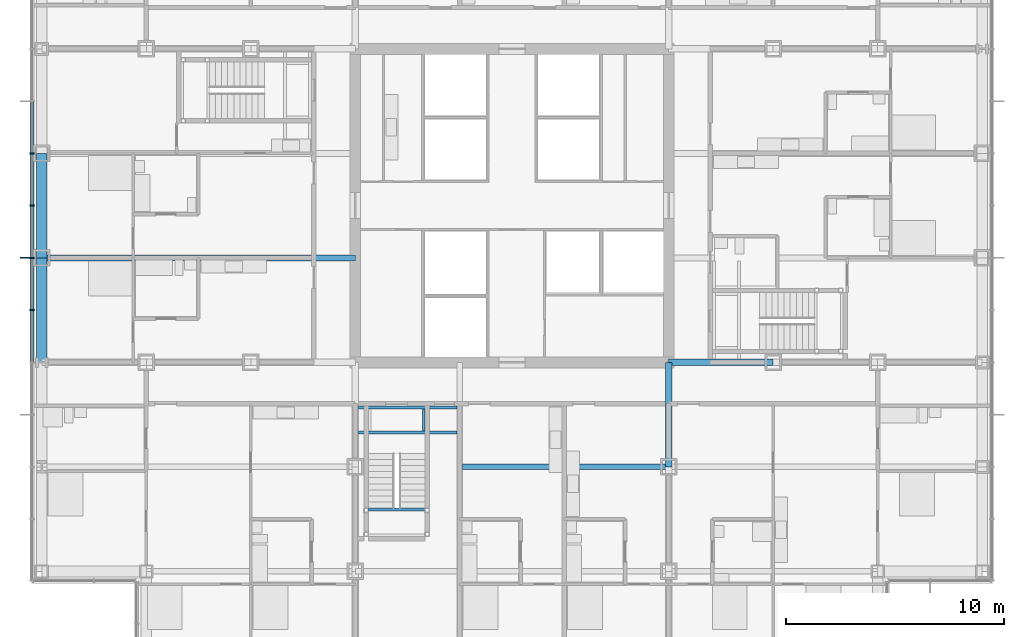
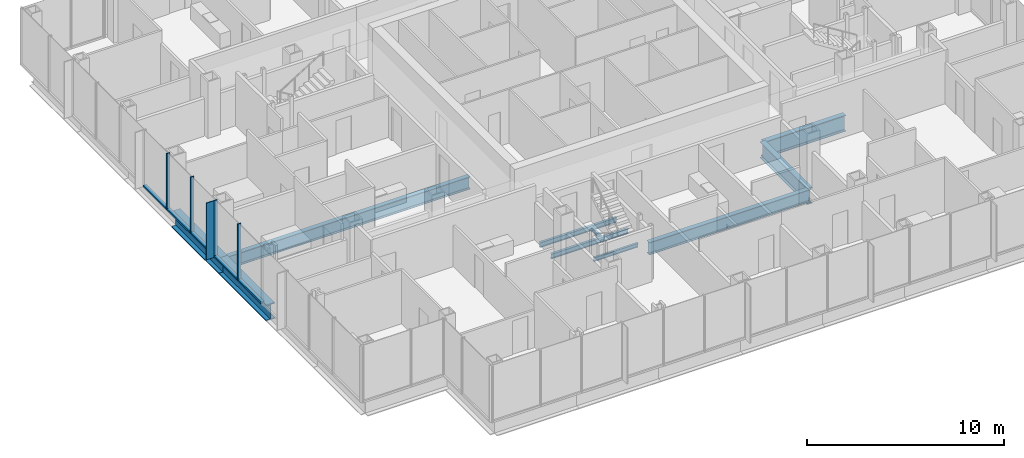
# One storey, part 7 of 21: 10 beams, 10 members, 1 element without a shape of its own.
"""IFC4 building model written with IfcOpenShell, lengths in metres."""

from ifc_helpers import new_model, si_unit, direction, frame, origin, origin_2d, place, context, subcontext, project, spatial, rectangle, i_section, extrude, material, material_profile, profile_set, type_object, element, aggregate, save


model = new_model("IFC4")

# Units and contexts
model_context = context("Model", 3, precision=1e-05, world=origin(), true_north=direction((0.0, 1.0)))
body_context = subcontext(model_context, "Body", "Model", "MODEL_VIEW")
ifc_project = project(units=[si_unit("LENGTHUNIT", "METRE"), si_unit("AREAUNIT", "SQUARE_METRE"), si_unit("VOLUMEUNIT", "CUBIC_METRE"), si_unit("PLANEANGLEUNIT", "RADIAN"), si_unit("MASSUNIT", "GRAM", prefix="KILO")], contexts=[model_context])

# Site, building, storey
site_placement = place(None, origin())
site = spatial("IfcSite", under=ifc_project, at=site_placement, CompositionType="ELEMENT")
building_placement = place(site_placement, origin())
building = spatial("IfcBuilding", under=site, at=building_placement, Name="Kvirike Care Tower", CompositionType="ELEMENT")
storey_placement = place(building_placement, frame((0.0, 0.0, 51.5)))
storey = spatial("IfcBuildingStorey", under=building, at=storey_placement, Name="L13", CompositionType="ELEMENT", Elevation=51.5)

# Curtain wall, members
ifc_material_1 = material(Name="Anodised aluminium stick system", Category="aluminium")
curtain_wall_type = type_object("IfcCurtainWallType", Name="CW-A STICK CURTAIN WALL", PredefinedType="NOTDEFINED", material=ifc_material_1)
curtain_wall_placement = place(storey_placement, origin())
curtain_wall = element("IfcCurtainWall", 1, at=curtain_wall_placement, inside=storey, type_object=curtain_wall_type, Name="Curtain wall L13 face 1", PredefinedType="NOTDEFINED")
ifc_material_2 = material(Name="Bronze anodised aluminium fin", Category="aluminium")
ifc_material_profile_1 = material_profile(ifc_material_2, rectangle(XDim=0.050048828125, YDim=0.449951171875, at=origin_2d()), Name="BRONZE FIN 450")
ifc_profile_set_1 = profile_set([ifc_material_profile_1], Name="Bronze anodised aluminium fin")
member_type_1 = type_object("IfcMemberType", Name="BRONZE FIN 450", PredefinedType="USERDEFINED", material=ifc_profile_set_1)
member_1_placement = place(storey_placement, frame((-0.77490234375, 33.60009765625, 0.0), z_axis=(0.0, 0.0, 1.0), x_axis=(0.0, -1.0, 0.0)))
member_1 = element("IfcMember", 2, at=member_1_placement, type_object=member_type_1, Name="Bronze fin L13 face 1.9", ObjectType="FIN", PredefinedType="USERDEFINED", context=body_context, shape_type="SweptSolid", body=[
    extrude(rectangle(XDim=0.050048828125, YDim=0.449951171875, at=origin_2d()), origin(), (0.0, 0.0, 1.0), 3.5),
])
ifc_material_3 = material(Name="Bronze anodised aluminium mullion", Category="aluminium")
ifc_material_profile_2 = material_profile(ifc_material_3, rectangle(XDim=0.06494140625, YDim=0.199951171875, at=origin_2d()), Name="CW-A MULLION 65x200")
ifc_profile_set_2 = profile_set([ifc_material_profile_2], Name="Bronze anodised aluminium mullion")
member_type_2 = type_object("IfcMemberType", Name="CW-A MULLION 65x200", PredefinedType="MULLION", material=ifc_profile_set_2)
member_2_placement = place(storey_placement, frame((-0.449951171875, 38.39990234375, 0.0), z_axis=(0.0, 0.0, 1.0), x_axis=(0.0, -1.0, 0.0)))
member_2 = element("IfcMember", 3, at=member_2_placement, type_object=member_type_2, Name="CW-A mullion L13 face 1.7", PredefinedType="MULLION", context=body_context, shape_type="SweptSolid", body=[
    extrude(rectangle(XDim=0.06494140625, YDim=0.199951171875, at=origin_2d()), origin(), (0.0, 0.0, 1.0), 3.5),
])
member_3_placement = place(storey_placement, frame((-0.449951171875, 36.0, 0.0), z_axis=(0.0, 0.0, 1.0), x_axis=(0.0, -1.0, 0.0)))
member_3 = element("IfcMember", 4, at=member_3_placement, type_object=member_type_2, Name="CW-A mullion L13 face 1.8", PredefinedType="MULLION", context=body_context, shape_type="SweptSolid", body=[
    extrude(rectangle(XDim=0.06494140625, YDim=0.199951171875, at=origin_2d()), origin(), (0.0, 0.0, 1.0), 3.5),
])
member_4_placement = place(storey_placement, frame((-0.449951171875, 33.60009765625, 0.0), z_axis=(0.0, 0.0, 1.0), x_axis=(0.0, -1.0, 0.0)))
member_4 = element("IfcMember", 5, at=member_4_placement, type_object=member_type_2, Name="CW-A mullion L13 face 1.9", PredefinedType="MULLION", context=body_context, shape_type="SweptSolid", body=[
    extrude(rectangle(XDim=0.06494140625, YDim=0.199951171875, at=origin_2d()), origin(), (0.0, 0.0, 1.0), 3.5),
])
member_5_placement = place(storey_placement, frame((-0.449951171875, 31.199951171875, 0.0), z_axis=(0.0, 0.0, 1.0), x_axis=(0.0, -1.0, 0.0)))
member_5 = element("IfcMember", 6, at=member_5_placement, type_object=member_type_2, Name="CW-A mullion L13 face 1.10", PredefinedType="MULLION", context=body_context, shape_type="SweptSolid", body=[
    extrude(rectangle(XDim=0.06494140625, YDim=0.199951171875, at=origin_2d()), origin(), (0.0, 0.0, 1.0), 3.5),
])
ifc_material_4 = material(Name="Bronze anodised aluminium transom", Category="aluminium")
ifc_material_profile_3 = material_profile(ifc_material_4, rectangle(XDim=0.199951171875, YDim=0.10009765625, at=origin_2d()), Name="CW-A TRANSOM 200x100")
ifc_profile_set_3 = profile_set([ifc_material_profile_3], Name="Bronze anodised aluminium transom")
member_type_3 = type_object("IfcMemberType", Name="CW-A TRANSOM 200x100", PredefinedType="USERDEFINED", material=ifc_profile_set_3)
member_6_placement = place(storey_placement, frame((-0.449951171875, 40.767578125, 0.050048828125), z_axis=(0.0, -1.0, 0.0), x_axis=(1.0, 0.0, 0.0)))
member_6 = element("IfcMember", 7, at=member_6_placement, type_object=member_type_3, Name="CW-A sill transom L13 face 1.6", ObjectType="TRANSOM", PredefinedType="USERDEFINED", context=body_context, shape_type="SweptSolid", body=[
    extrude(rectangle(XDim=0.199951171875, YDim=0.10009765625, at=origin_2d()), origin(), (0.0, 0.0, 1.0), 2.3349609375),
])
member_7_placement = place(storey_placement, frame((-0.449951171875, 38.367431640625, 0.050048828125), z_axis=(0.0, -1.0, 0.0), x_axis=(1.0, 0.0, 0.0)))
member_7 = element("IfcMember", 8, at=member_7_placement, type_object=member_type_3, Name="CW-A sill transom L13 face 1.7", ObjectType="TRANSOM", PredefinedType="USERDEFINED", context=body_context, shape_type="SweptSolid", body=[
    extrude(rectangle(XDim=0.199951171875, YDim=0.10009765625, at=origin_2d()), origin(), (0.0, 0.0, 1.0), 2.3349609375),
])
member_8_placement = place(storey_placement, frame((-0.449951171875, 35.967529296875, 0.050048828125), z_axis=(0.0, -1.0, 0.0), x_axis=(1.0, 0.0, 0.0)))
member_8 = element("IfcMember", 9, at=member_8_placement, type_object=member_type_3, Name="CW-A sill transom L13 face 1.8", ObjectType="TRANSOM", PredefinedType="USERDEFINED", context=body_context, shape_type="SweptSolid", body=[
    extrude(rectangle(XDim=0.199951171875, YDim=0.10009765625, at=origin_2d()), origin(), (0.0, 0.0, 1.0), 2.3349609375),
])
member_9_placement = place(storey_placement, frame((-0.449951171875, 33.5673828125, 0.050048828125), z_axis=(0.0, -1.0, 0.0), x_axis=(1.0, 0.0, 0.0)))
member_9 = element("IfcMember", 10, at=member_9_placement, type_object=member_type_3, Name="CW-A sill transom L13 face 1.9", ObjectType="TRANSOM", PredefinedType="USERDEFINED", context=body_context, shape_type="SweptSolid", body=[
    extrude(rectangle(XDim=0.199951171875, YDim=0.10009765625, at=origin_2d()), origin(), (0.0, 0.0, 1.0), 2.3349609375),
])
member_10_placement = place(storey_placement, frame((-0.449951171875, 31.16748046875, 0.050048828125), z_axis=(0.0, -1.0, 0.0), x_axis=(1.0, 0.0, 0.0)))
member_10 = element("IfcMember", 11, at=member_10_placement, type_object=member_type_3, Name="CW-A sill transom L13 face 1.10", ObjectType="TRANSOM", PredefinedType="USERDEFINED", context=body_context, shape_type="SweptSolid", body=[
    extrude(rectangle(XDim=0.199951171875, YDim=0.10009765625, at=origin_2d()), origin(), (0.0, 0.0, 1.0), 2.3349609375),
])
aggregate(curtain_wall, [member_2, member_3, member_4, member_1, member_5, member_6, member_7, member_8, member_9, member_10])

# Beams
ifc_material_5 = material(Name="Steel S355", Category="steel")
ifc_material_profile_4 = material_profile(ifc_material_5, i_section(OverallWidth=0.26806640625, OverallDepth=0.77001953125, WebThickness=0.015625, FlangeThickness=0.025390625, FilletRadius=0.01708984375, at=origin_2d()), Name="IPE 750x196")
ifc_profile_set_4 = profile_set([ifc_material_profile_4], Name="Steel S355")
beam_type_1 = type_object("IfcBeamType", Name="FLOOR BEAM IPE 750x196", PredefinedType="BEAM", material=ifc_profile_set_4)
beam_1_placement = place(storey_placement, frame((19.333984375, 24.0, -0.554931640625), z_axis=(1.0, 0.0, 0.0), x_axis=(0.0, 1.0, 0.0)))
element("IfcBeam", 12, at=beam_1_placement, inside=storey, type_object=beam_type_1, Name="Floor Beam F7-F9 L13", PredefinedType="BEAM", context=body_context, shape_type="SweptSolid", body=[
    extrude(i_section(OverallWidth=0.26806640625, OverallDepth=0.77001953125, WebThickness=0.015625, FlangeThickness=0.025390625, FilletRadius=0.01708984375, at=origin_2d()), origin(), (0.0, 0.0, 1.0), 9.466064453125),
])
beam_2_placement = place(storey_placement, frame((0.0, 33.60009765625, -0.554931640625), z_axis=(1.0, 0.0, 0.0), x_axis=(0.0, 1.0, 0.0)))
element("IfcBeam", 13, at=beam_2_placement, inside=storey, type_object=beam_type_1, Name="Floor Beam H3-H6 L13", PredefinedType="BEAM", context=body_context, shape_type="SweptSolid", body=[
    extrude(i_section(OverallWidth=0.26806640625, OverallDepth=0.77001953125, WebThickness=0.015625, FlangeThickness=0.025390625, FilletRadius=0.01708984375, at=origin_2d()), origin(), (0.0, 0.0, 1.0), 14.39990234375),
])
ifc_material_6 = material(Name="Steel S355", Category="steel")
ifc_material_profile_5 = material_profile(ifc_material_6, i_section(OverallWidth=0.300048828125, OverallDepth=1.0, WebThickness=0.01904296875, FlangeThickness=0.035888671875, FilletRadius=0.030029296875, at=origin_2d()), Name="HE 1000 B")
ifc_profile_set_5 = profile_set([ifc_material_profile_5], Name="Steel S355")
beam_type_2 = type_object("IfcBeamType", Name="FRAME BEAM HE 1000 B", PredefinedType="BEAM", material=ifc_profile_set_5)
for number, where, z_axis, x_axis, name in (
    (14, (28.800048828125, 28.800048828125, -0.669921875), (1.0, 0.0, 0.0), (0.0, 1.0, 0.0), "Frame Beam G9-G10 L13"),
    (15, (28.800048828125, 24.0, -0.669921875), (0.0, 1.0, 0.0), (-1.0, 0.0, 0.0), "Frame Beam F9-G9 L13"),
):
    element("IfcBeam", number, at=place(storey_placement, frame(where, z_axis=z_axis, x_axis=x_axis)), inside=storey, type_object=beam_type_2, Name=name, PredefinedType="BEAM", context=body_context, shape_type="SweptSolid", body=[
        extrude(i_section(OverallWidth=0.300048828125, OverallDepth=1.0, WebThickness=0.01904296875, FlangeThickness=0.035888671875, FilletRadius=0.030029296875, at=origin_2d()), origin(), (0.0, 0.0, 1.0), 4.800048828125),
    ])
ifc_material_7 = material(Name="Steel S355", Category="steel")
ifc_material_profile_6 = material_profile(ifc_material_7, i_section(OverallWidth=0.5, OverallDepth=1.0, WebThickness=0.030029296875, FlangeThickness=0.06005859375, at=origin_2d()), Name="PG 1000x500x30x60")
ifc_profile_set_6 = profile_set([ifc_material_profile_6], Name="Steel S355")
beam_type_3 = type_object("IfcBeamType", Name="SPANDREL PG 1000x500x30x60", PredefinedType="SPANDREL", material=ifc_profile_set_6)
beam_3_placement = place(storey_placement, frame((0.0, 28.800048828125, -0.669921875), z_axis=(0.0, 1.0, 0.0), x_axis=(-1.0, 0.0, 0.0)))
element("IfcBeam", 16, at=beam_3_placement, inside=storey, type_object=beam_type_3, Name="Spandrel G3-H3 L13", PredefinedType="SPANDREL", context=body_context, shape_type="SweptSolid", body=[
    extrude(i_section(OverallWidth=0.5, OverallDepth=1.0, WebThickness=0.030029296875, FlangeThickness=0.06005859375, at=origin_2d()), origin(), (0.0, 0.0, 1.0), 4.800048828125),
])
beam_4_placement = place(storey_placement, frame((0.0, 33.60009765625, -0.669921875), z_axis=(0.0, 1.0, 0.0), x_axis=(-1.0, 0.0, 0.0)))
element("IfcBeam", 17, at=beam_4_placement, inside=storey, type_object=beam_type_3, Name="Spandrel H3-J3 L13", PredefinedType="SPANDREL", context=body_context, shape_type="SweptSolid", body=[
    extrude(i_section(OverallWidth=0.5, OverallDepth=1.0, WebThickness=0.030029296875, FlangeThickness=0.06005859375, at=origin_2d()), origin(), (0.0, 0.0, 1.0), 4.7998046875),
])
ifc_material_8 = material(Name="Steel S355", Category="steel")
ifc_material_profile_7 = material_profile(ifc_material_8, i_section(OverallWidth=0.1201171875, OverallDepth=0.239990234375, WebThickness=0.006103515625, FlangeThickness=0.009765625, FilletRadius=0.014892578125, at=origin_2d()), Name="IPE 240")
ifc_profile_set_7 = profile_set([ifc_material_profile_7], Name="Steel S355")
beam_type_4 = type_object("IfcBeamType", Name="STAIR LANDING BEAM IPE 240", PredefinedType="BEAM", material=ifc_profile_set_7)
beam_5_placement = place(storey_placement, frame((15.0, 22.0400390625, 1.429931640625), z_axis=(1.0, 0.0, 0.0), x_axis=(0.0, 1.0, 0.0)))
element("IfcBeam", 18, at=beam_5_placement, inside=storey, type_object=beam_type_4, Name="Stair 5 landing beam front L13", PredefinedType="BEAM", context=body_context, shape_type="SweptSolid", body=[
    extrude(i_section(OverallWidth=0.1201171875, OverallDepth=0.239990234375, WebThickness=0.006103515625, FlangeThickness=0.009765625, FilletRadius=0.014892578125, at=origin_2d()), origin(), (0.0, 0.0, 1.0), 2.60009765625),
])
beam_6_placement = place(storey_placement, frame((17.5400390625, 25.64990234375, -0.320068359375), z_axis=(0.0, 1.0, 0.0), x_axis=(-1.0, 0.0, 0.0)))
element("IfcBeam", 19, at=beam_6_placement, inside=storey, type_object=beam_type_4, Name="Stair 5 landing edge beam 2 L13", PredefinedType="BEAM", context=body_context, shape_type="SweptSolid", body=[
    extrude(i_section(OverallWidth=0.1201171875, OverallDepth=0.239990234375, WebThickness=0.006103515625, FlangeThickness=0.009765625, FilletRadius=0.014892578125, at=origin_2d()), origin(), (0.0, 0.0, 1.0), 1.0),
])
ifc_material_9 = material(Name="Steel S355", Category="steel")
ifc_material_profile_8 = material_profile(ifc_material_9, i_section(OverallWidth=0.14990234375, OverallDepth=0.300048828125, WebThickness=0.007080078125, FlangeThickness=0.0107421875, FilletRadius=0.014892578125, at=origin_2d()), Name="IPE 300")
ifc_profile_set_8 = profile_set([ifc_material_profile_8], Name="Steel S355")
beam_type_5 = type_object("IfcBeamType", Name="STAIR TRIMMER IPE 300", PredefinedType="BEAM", material=ifc_profile_set_8)
for number, where, z_axis, x_axis, name in (
    (20, (14.550048828125, 25.574951171875, -0.35009765625), (1.0, 0.0, 0.0), (0.0, 1.0, 0.0), "Stair 5 trimmer 1 L13"),
    (21, (14.550048828125, 26.72509765625, -0.35009765625), (1.0, 0.0, 0.0), (0.0, 1.0, 0.0), "Stair 5 trimmer 2 L13"),
):
    element("IfcBeam", number, at=place(storey_placement, frame(where, z_axis=z_axis, x_axis=x_axis)), inside=storey, type_object=beam_type_5, Name=name, PredefinedType="BEAM", context=body_context, shape_type="SweptSolid", body=[
        extrude(i_section(OverallWidth=0.14990234375, OverallDepth=0.300048828125, WebThickness=0.007080078125, FlangeThickness=0.0107421875, FilletRadius=0.014892578125, at=origin_2d()), origin(), (0.0, 0.0, 1.0), 4.515869140625),
    ])

save(model, "model.ifc")
